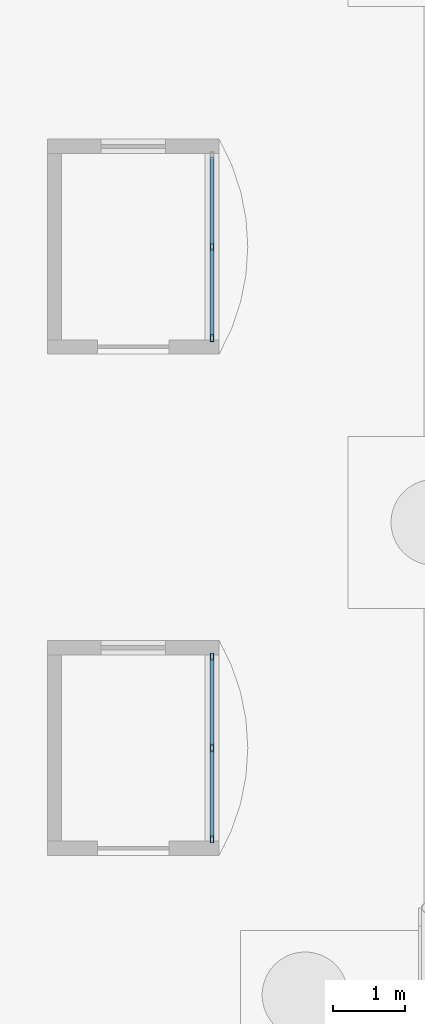
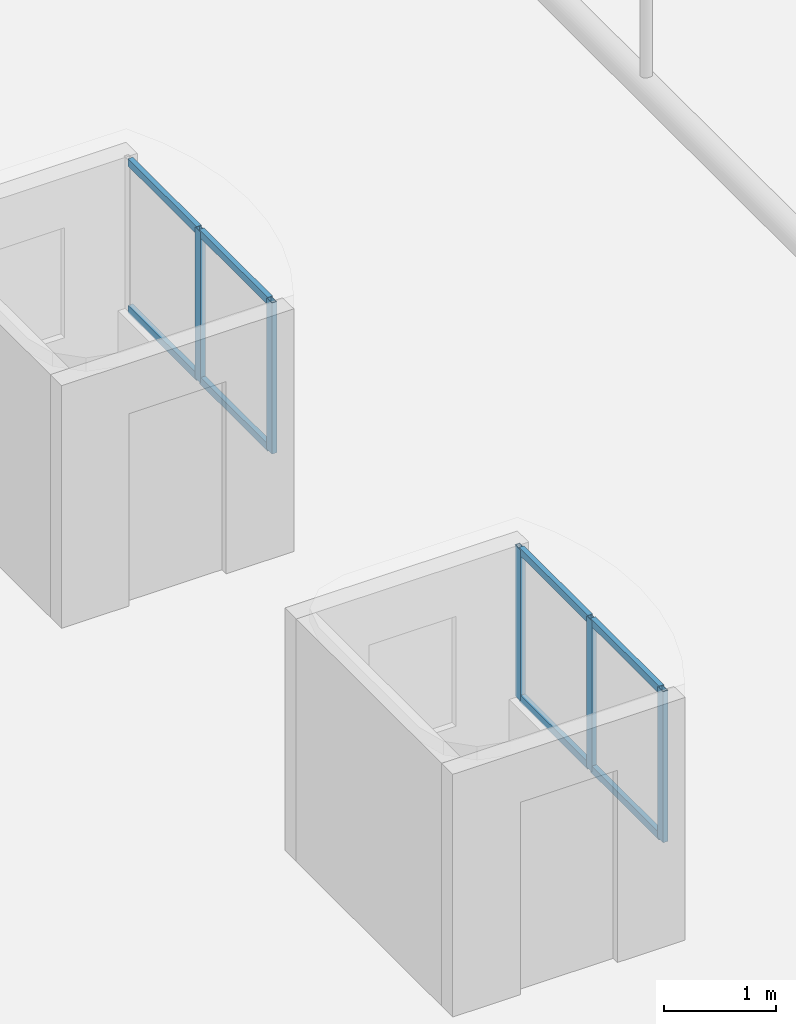
# One storey, part 35 of 212: 13 members, 2 elements without a shape of their own.
"""IFC4 building model written with IfcOpenShell, lengths in metres."""

from ifc_helpers import new_model, si_unit, direction, frame, origin, origin_2d, place, context, subcontext, project, spatial, hollow_rectangle, extrude, material, material_profile, profile_set, type_object, element, aggregate, save


model = new_model("IFC4")

# Units and contexts
model_context = context("Model", 3, precision=1e-05, world=origin(), true_north=direction((0.0, 1.0)))
body_context = subcontext(model_context, "Body", "Model", "MODEL_VIEW")
ifc_project = project(units=[si_unit("LENGTHUNIT", "METRE"), si_unit("AREAUNIT", "SQUARE_METRE"), si_unit("VOLUMEUNIT", "CUBIC_METRE"), si_unit("PLANEANGLEUNIT", "RADIAN"), si_unit("MASSUNIT", "GRAM", prefix="KILO")], contexts=[model_context])

# Site, building, storey
site_placement = place(None, origin())
site = spatial("IfcSite", under=ifc_project, at=site_placement, CompositionType="ELEMENT")
building_placement = place(site_placement, origin())
building = spatial("IfcBuilding", under=site, at=building_placement, Name="Catenary Quay Ferry Terminal", CompositionType="ELEMENT")
storey_placement = place(building_placement, origin())
storey = spatial("IfcBuildingStorey", under=building, at=storey_placement, Name="L00", CompositionType="ELEMENT", Elevation=0.0)

# Curtain wall, members
ifc_material_1 = material(Name="Aluminium and glass", Category="aluminium")
curtain_wall_type = type_object("IfcCurtainWallType", Name="CWV", PredefinedType="NOTDEFINED", material=ifc_material_1)
curtain_wall_1_placement = place(storey_placement, origin())
curtain_wall_1 = element("IfcCurtainWall", 1, at=curtain_wall_1_placement, inside=storey, type_object=curtain_wall_type, Name="Booth curtain wall CW163", PredefinedType="NOTDEFINED")
ifc_material_2 = material(Name="Aluminium", Category="aluminium")
ifc_material_profile_1 = material_profile(ifc_material_2, hollow_rectangle(XDim=0.050048828125, YDim=0.10009765625, WallThickness=0.0048828125, at=origin_2d()), Name="MU1")
ifc_profile_set_1 = profile_set([ifc_material_profile_1], Name="Aluminium")
member_type_1 = type_object("IfcMemberType", Name="MU1", PredefinedType="MULLION", material=ifc_profile_set_1)
member_1_placement = place(storey_placement, frame((13.699951171875, 20.77490234375, 1.0), z_axis=(0.0, 0.0, 1.0), x_axis=(-1.0, 0.0, 0.0)))
member_1 = element("IfcMember", 2, at=member_1_placement, type_object=member_type_1, Name="CW163 mullion 1", PredefinedType="MULLION", context=body_context, shape_type="SweptSolid", body=[
    extrude(hollow_rectangle(XDim=0.050048828125, YDim=0.10009765625, WallThickness=0.0048828125, at=origin_2d()), origin(), (0.0, 0.0, 1.0), 1.64990234375),
])
member_2_placement = place(storey_placement, frame((13.699951171875, 22.050048828125, 1.0), z_axis=(0.0, 0.0, 1.0), x_axis=(-1.0, 0.0, 0.0)))
member_2 = element("IfcMember", 3, at=member_2_placement, type_object=member_type_1, Name="CW163 mullion 2", PredefinedType="MULLION", context=body_context, shape_type="SweptSolid", body=[
    extrude(hollow_rectangle(XDim=0.050048828125, YDim=0.10009765625, WallThickness=0.0048828125, at=origin_2d()), origin(), (0.0, 0.0, 1.0), 1.64990234375),
])
member_3_placement = place(storey_placement, frame((13.699951171875, 23.324951171875, 1.0), z_axis=(0.0, 0.0, 1.0), x_axis=(-1.0, 0.0, 0.0)))
member_3 = element("IfcMember", 4, at=member_3_placement, type_object=member_type_1, Name="CW163 mullion 3", PredefinedType="MULLION", context=body_context, shape_type="SweptSolid", body=[
    extrude(hollow_rectangle(XDim=0.050048828125, YDim=0.10009765625, WallThickness=0.0048828125, at=origin_2d()), origin(), (0.0, 0.0, 1.0), 1.64990234375),
])

curtain_wall_2_placement = place(storey_placement, origin())
curtain_wall_2 = element("IfcCurtainWall", 5, at=curtain_wall_2_placement, inside=storey, type_object=curtain_wall_type, Name="Booth curtain wall CW164", PredefinedType="NOTDEFINED")
member_4_placement = place(storey_placement, frame((13.699951171875, 27.77490234375, 1.0), z_axis=(0.0, 0.0, 1.0), x_axis=(-1.0, 0.0, 0.0)))
member_4 = element("IfcMember", 6, at=member_4_placement, type_object=member_type_1, Name="CW164 mullion 1", PredefinedType="MULLION", context=body_context, shape_type="SweptSolid", body=[
    extrude(hollow_rectangle(XDim=0.050048828125, YDim=0.10009765625, WallThickness=0.0048828125, at=origin_2d()), origin(), (0.0, 0.0, 1.0), 1.64990234375),
])
member_5_placement = place(storey_placement, frame((13.699951171875, 29.050048828125, 1.0), z_axis=(0.0, 0.0, 1.0), x_axis=(-1.0, 0.0, 0.0)))
member_5 = element("IfcMember", 7, at=member_5_placement, type_object=member_type_1, Name="CW164 mullion 2", PredefinedType="MULLION", context=body_context, shape_type="SweptSolid", body=[
    extrude(hollow_rectangle(XDim=0.050048828125, YDim=0.10009765625, WallThickness=0.0048828125, at=origin_2d()), origin(), (0.0, 0.0, 1.0), 1.64990234375),
])

# Member
ifc_material_3 = material(Name="Aluminium", Category="aluminium")
ifc_material_profile_2 = material_profile(ifc_material_3, hollow_rectangle(XDim=0.050048828125, YDim=0.080078125, WallThickness=0.00390625, at=origin_2d()), Name="TR1")
ifc_profile_set_2 = profile_set([ifc_material_profile_2], Name="Aluminium")
member_type_2 = type_object("IfcMemberType", Name="TR1", PredefinedType="USERDEFINED", material=ifc_profile_set_2)
member_6_placement = place(storey_placement, frame((13.699951171875, 20.800048828125, 1.02490234375), z_axis=(0.0, 1.0, 0.0), x_axis=(-1.0, 0.0, 0.0)))
member_6 = element("IfcMember", 8, at=member_6_placement, type_object=member_type_2, Name="CW163 transom 1.1", ObjectType="TRANSOM", PredefinedType="USERDEFINED", context=body_context, shape_type="SweptSolid", body=[
    extrude(hollow_rectangle(XDim=0.050048828125, YDim=0.080078125, WallThickness=0.00390625, at=origin_2d()), origin(), (0.0, 0.0, 1.0), 1.224853515625),
])

member_7_placement = place(storey_placement, frame((13.699951171875, 20.800048828125, 2.625), z_axis=(0.0, 1.0, 0.0), x_axis=(-1.0, 0.0, 0.0)))
member_7 = element("IfcMember", 9, at=member_7_placement, type_object=member_type_2, Name="CW163 transom 1.2", ObjectType="TRANSOM", PredefinedType="USERDEFINED", context=body_context, shape_type="SweptSolid", body=[
    extrude(hollow_rectangle(XDim=0.050048828125, YDim=0.080078125, WallThickness=0.00390625, at=origin_2d()), origin(), (0.0, 0.0, 1.0), 1.224853515625),
])

member_8_placement = place(storey_placement, frame((13.699951171875, 22.074951171875, 1.02490234375), z_axis=(0.0, 1.0, 0.0), x_axis=(-1.0, 0.0, 0.0)))
member_8 = element("IfcMember", 10, at=member_8_placement, type_object=member_type_2, Name="CW163 transom 2.1", ObjectType="TRANSOM", PredefinedType="USERDEFINED", context=body_context, shape_type="SweptSolid", body=[
    extrude(hollow_rectangle(XDim=0.050048828125, YDim=0.080078125, WallThickness=0.00390625, at=origin_2d()), origin(), (0.0, 0.0, 1.0), 1.22509765625),
])

member_9_placement = place(storey_placement, frame((13.699951171875, 22.074951171875, 2.625), z_axis=(0.0, 1.0, 0.0), x_axis=(-1.0, 0.0, 0.0)))
member_9 = element("IfcMember", 11, at=member_9_placement, type_object=member_type_2, Name="CW163 transom 2.2", ObjectType="TRANSOM", PredefinedType="USERDEFINED", context=body_context, shape_type="SweptSolid", body=[
    extrude(hollow_rectangle(XDim=0.050048828125, YDim=0.080078125, WallThickness=0.00390625, at=origin_2d()), origin(), (0.0, 0.0, 1.0), 1.22509765625),
])

aggregate(curtain_wall_1, [member_1, member_2, member_3, member_6, member_7, member_8, member_9])

member_10_placement = place(storey_placement, frame((13.699951171875, 27.800048828125, 1.02490234375), z_axis=(0.0, 1.0, 0.0), x_axis=(-1.0, 0.0, 0.0)))
member_10 = element("IfcMember", 12, at=member_10_placement, type_object=member_type_2, Name="CW164 transom 1.1", ObjectType="TRANSOM", PredefinedType="USERDEFINED", context=body_context, shape_type="SweptSolid", body=[
    extrude(hollow_rectangle(XDim=0.050048828125, YDim=0.080078125, WallThickness=0.00390625, at=origin_2d()), origin(), (0.0, 0.0, 1.0), 1.224853515625),
])

member_11_placement = place(storey_placement, frame((13.699951171875, 27.800048828125, 2.625), z_axis=(0.0, 1.0, 0.0), x_axis=(-1.0, 0.0, 0.0)))
member_11 = element("IfcMember", 13, at=member_11_placement, type_object=member_type_2, Name="CW164 transom 1.2", ObjectType="TRANSOM", PredefinedType="USERDEFINED", context=body_context, shape_type="SweptSolid", body=[
    extrude(hollow_rectangle(XDim=0.050048828125, YDim=0.080078125, WallThickness=0.00390625, at=origin_2d()), origin(), (0.0, 0.0, 1.0), 1.224853515625),
])

member_12_placement = place(storey_placement, frame((13.699951171875, 29.074951171875, 1.02490234375), z_axis=(0.0, 1.0, 0.0), x_axis=(-1.0, 0.0, 0.0)))
member_12 = element("IfcMember", 14, at=member_12_placement, type_object=member_type_2, Name="CW164 transom 2.1", ObjectType="TRANSOM", PredefinedType="USERDEFINED", context=body_context, shape_type="SweptSolid", body=[
    extrude(hollow_rectangle(XDim=0.050048828125, YDim=0.080078125, WallThickness=0.00390625, at=origin_2d()), origin(), (0.0, 0.0, 1.0), 1.22509765625),
])

member_13_placement = place(storey_placement, frame((13.699951171875, 29.074951171875, 2.625), z_axis=(0.0, 1.0, 0.0), x_axis=(-1.0, 0.0, 0.0)))
member_13 = element("IfcMember", 15, at=member_13_placement, type_object=member_type_2, Name="CW164 transom 2.2", ObjectType="TRANSOM", PredefinedType="USERDEFINED", context=body_context, shape_type="SweptSolid", body=[
    extrude(hollow_rectangle(XDim=0.050048828125, YDim=0.080078125, WallThickness=0.00390625, at=origin_2d()), origin(), (0.0, 0.0, 1.0), 1.22509765625),
])

aggregate(curtain_wall_2, [member_4, member_5, member_10, member_11, member_12, member_13])

save(model, "model.ifc")
